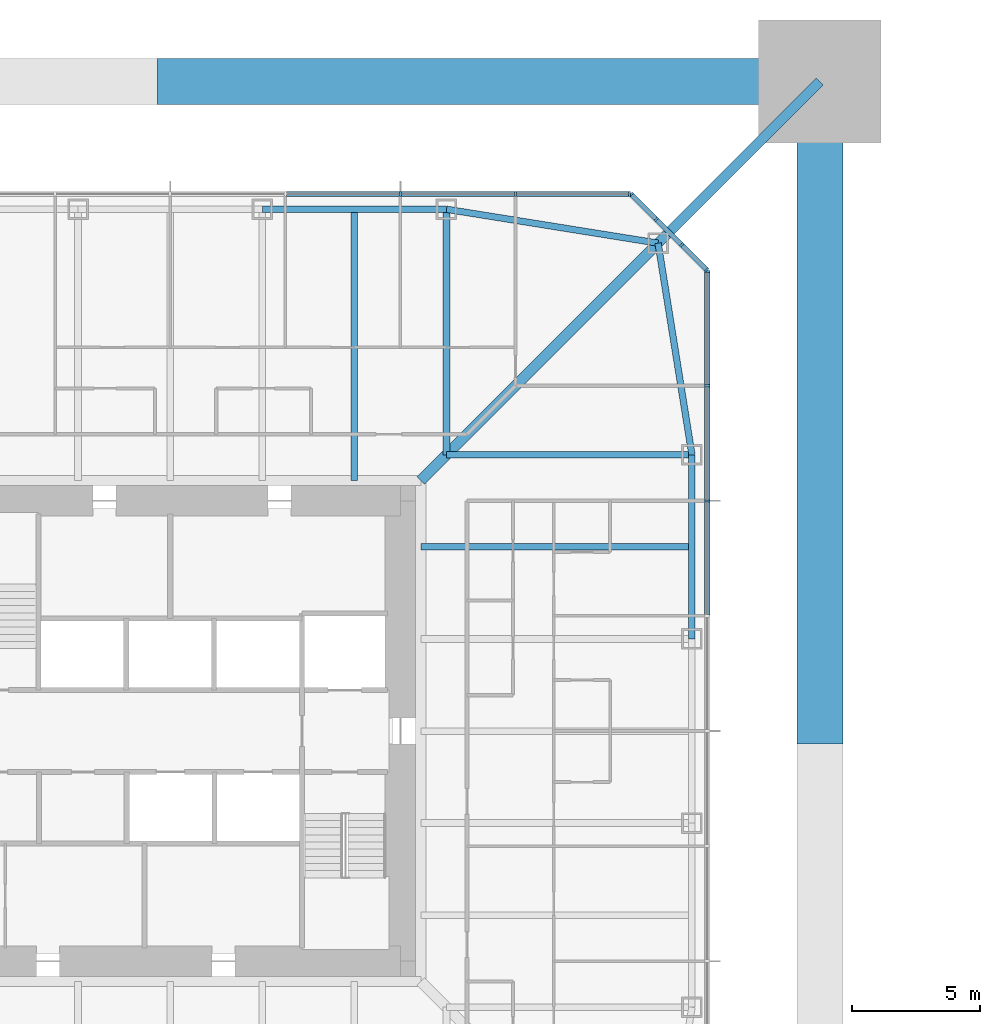
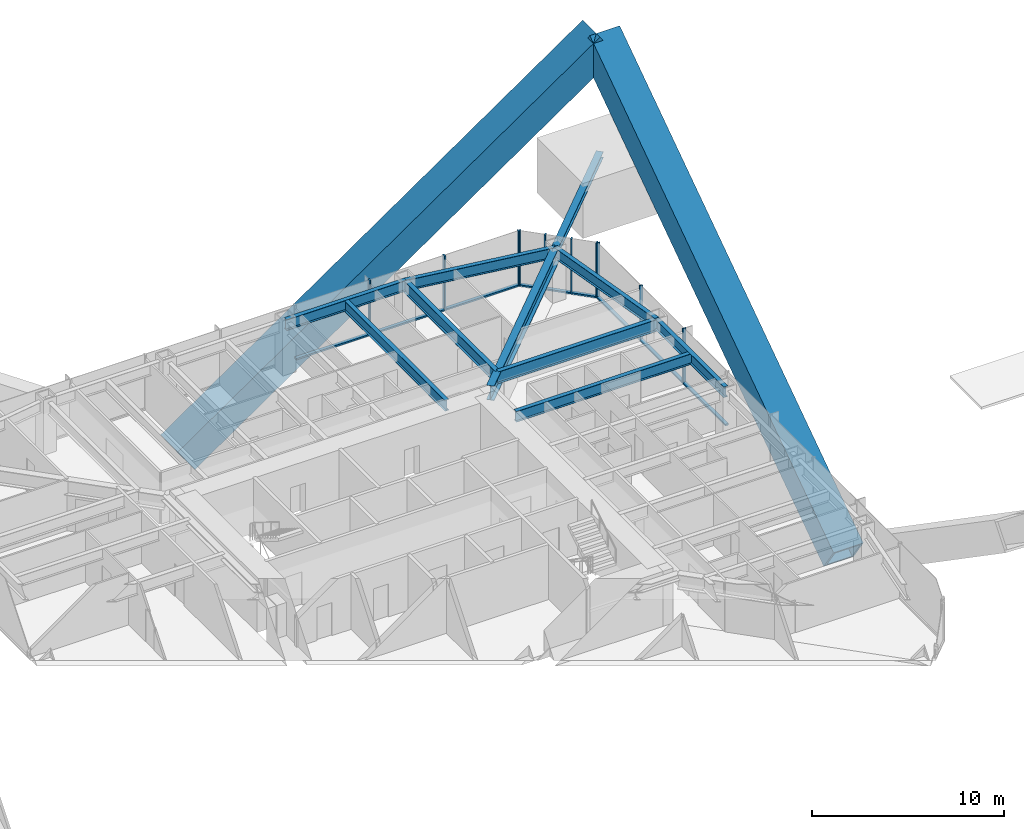
# One storey, part 7 of 17: 22 members, 9 beams, 3 elements without a shape of their own.
"""IFC4 building model written with IfcOpenShell, lengths in metres."""

from ifc_helpers import new_model, si_unit, direction, frame, origin, origin_2d, place, context, subcontext, project, spatial, rectangle, hollow_rectangle, i_section, extrude, material, material_profile, profile_set, type_object, element, aggregate, save


model = new_model("IFC4")

# Units and contexts
model_context = context("Model", 3, precision=1e-05, world=origin(), true_north=direction((0.0, 1.0)))
body_context = subcontext(model_context, "Body", "Model", "MODEL_VIEW")
ifc_project = project(units=[si_unit("LENGTHUNIT", "METRE"), si_unit("AREAUNIT", "SQUARE_METRE"), si_unit("VOLUMEUNIT", "CUBIC_METRE"), si_unit("PLANEANGLEUNIT", "RADIAN"), si_unit("MASSUNIT", "GRAM", prefix="KILO")], contexts=[model_context])

# Site, building, storey
site_placement = place(None, origin())
site = spatial("IfcSite", under=ifc_project, at=site_placement, CompositionType="ELEMENT")
building_placement = place(site_placement, origin())
building = spatial("IfcBuilding", under=site, at=building_placement, Name="Iwan Alto Co-Living Towers", CompositionType="ELEMENT")
storey_placement = place(building_placement, frame((0.0, 0.0, 133.0)))
storey = spatial("IfcBuildingStorey", under=building, at=storey_placement, Name="L36", CompositionType="ELEMENT", Elevation=133.0)

# Curtain wall, members
ifc_material_1 = material(Name="Bronze aluminium unitised frame", Category="aluminium")
curtain_wall_type_1 = type_object("IfcCurtainWallType", Name="CURTAIN WALL CW-A", PredefinedType="NOTDEFINED", material=ifc_material_1)
curtain_wall_1_placement = place(storey_placement, origin())
curtain_wall_1 = element("IfcCurtainWall", 1, at=curtain_wall_1_placement, inside=storey, type_object=curtain_wall_type_1, Name="T1 curtain wall E L36", PredefinedType="NOTDEFINED")
ifc_material_2 = material(Name="Aluminium 6063-T6 bronze anodised", Category="aluminium")
ifc_material_profile_1 = material_profile(ifc_material_2, rectangle(XDim=0.199951171875, YDim=0.080078125, at=origin_2d()), Name="AL 80X200")
ifc_profile_set_1 = profile_set([ifc_material_profile_1], Name="Aluminium 6063-T6 bronze anodised")
member_type_1 = type_object("IfcMemberType", Name="CW-A MULLION 80X200", PredefinedType="MULLION", material=ifc_profile_set_1)
member_1_placement = place(storey_placement, frame((21.0, 9.0, 0.0), z_axis=(0.0, 0.0, 1.0), x_axis=(-1.0, 0.0, 0.0)))
member_1 = element("IfcMember", 2, at=member_1_placement, type_object=member_type_1, Name="CW-A mullion 7", PredefinedType="MULLION", context=body_context, shape_type="SweptSolid", body=[
    extrude(rectangle(XDim=0.199951171875, YDim=0.080078125, at=origin_2d()), origin(), (0.0, 0.0, 1.0), 3.5),
])
member_2_placement = place(storey_placement, frame((21.0, 13.5, 0.0), z_axis=(0.0, 0.0, 1.0), x_axis=(-1.0, 0.0, 0.0)))
member_2 = element("IfcMember", 3, at=member_2_placement, type_object=member_type_1, Name="CW-A mullion 8", PredefinedType="MULLION", context=body_context, shape_type="SweptSolid", body=[
    extrude(rectangle(XDim=0.199951171875, YDim=0.080078125, at=origin_2d()), origin(), (0.0, 0.0, 1.0), 3.5),
])
member_3_placement = place(storey_placement, frame((21.0, 17.9599609375, 0.0), z_axis=(0.0, 0.0, 1.0), x_axis=(-1.0, 0.0, 0.0)))
member_3 = element("IfcMember", 4, at=member_3_placement, type_object=member_type_1, Name="CW-A mullion 9", PredefinedType="MULLION", context=body_context, shape_type="SweptSolid", body=[
    extrude(rectangle(XDim=0.199951171875, YDim=0.080078125, at=origin_2d()), origin(), (0.0, 0.0, 1.0), 3.5),
])

curtain_wall_2_placement = place(storey_placement, origin())
curtain_wall_2 = element("IfcCurtainWall", 5, at=curtain_wall_2_placement, inside=storey, type_object=curtain_wall_type_1, Name="T1 curtain wall N L36", PredefinedType="NOTDEFINED")
member_4_placement = place(storey_placement, frame((17.9599609375, 21.0, 0.0), z_axis=(0.0, 0.0, 1.0), x_axis=(0.0, -1.0, 0.0)))
member_4 = element("IfcMember", 6, at=member_4_placement, type_object=member_type_1, Name="CW-A mullion 1", PredefinedType="MULLION", context=body_context, shape_type="SweptSolid", body=[
    extrude(rectangle(XDim=0.199951171875, YDim=0.080078125, at=origin_2d()), origin(), (0.0, 0.0, 1.0), 3.5),
])
member_5_placement = place(storey_placement, frame((13.5, 21.0, 0.0), z_axis=(0.0, 0.0, 1.0), x_axis=(0.0, -1.0, 0.0)))
member_5 = element("IfcMember", 7, at=member_5_placement, type_object=member_type_1, Name="CW-A mullion 2", PredefinedType="MULLION", context=body_context, shape_type="SweptSolid", body=[
    extrude(rectangle(XDim=0.199951171875, YDim=0.080078125, at=origin_2d()), origin(), (0.0, 0.0, 1.0), 3.5),
])
member_6_placement = place(storey_placement, frame((9.0, 21.0, 0.0), z_axis=(0.0, 0.0, 1.0), x_axis=(0.0, -1.0, 0.0)))
member_6 = element("IfcMember", 8, at=member_6_placement, type_object=member_type_1, Name="CW-A mullion 3", PredefinedType="MULLION", context=body_context, shape_type="SweptSolid", body=[
    extrude(rectangle(XDim=0.199951171875, YDim=0.080078125, at=origin_2d()), origin(), (0.0, 0.0, 1.0), 3.5),
])

# Member
ifc_material_3 = material(Name="Aluminium 6063-T6 bronze anodised", Category="aluminium")
ifc_material_profile_2 = material_profile(ifc_material_3, rectangle(XDim=0.199951171875, YDim=0.10009765625, at=origin_2d()), Name="AL 200X100")
ifc_profile_set_2 = profile_set([ifc_material_profile_2], Name="Aluminium 6063-T6 bronze anodised")
member_type_2 = type_object("IfcMemberType", Name="CW-A TRANSOM 200X100", PredefinedType="USERDEFINED", material=ifc_profile_set_2)
member_7_placement = place(storey_placement, frame((21.0, 4.5400390625, 0.050048828125), z_axis=(0.0, 1.0, 0.0), x_axis=(-1.0, 0.0, 0.0)))
member_7 = element("IfcMember", 9, at=member_7_placement, type_object=member_type_2, Name="CW-A transom 6.1", ObjectType="TRANSOM", PredefinedType="USERDEFINED", context=body_context, shape_type="SweptSolid", body=[
    extrude(rectangle(XDim=0.199951171875, YDim=0.10009765625, at=origin_2d()), origin(), (0.0, 0.0, 1.0), 4.419921875),
])

member_8_placement = place(storey_placement, frame((21.0, 9.0400390625, 0.050048828125), z_axis=(0.0, 1.0, 0.0), x_axis=(-1.0, 0.0, 0.0)))
member_8 = element("IfcMember", 10, at=member_8_placement, type_object=member_type_2, Name="CW-A transom 7.1", ObjectType="TRANSOM", PredefinedType="USERDEFINED", context=body_context, shape_type="SweptSolid", body=[
    extrude(rectangle(XDim=0.199951171875, YDim=0.10009765625, at=origin_2d()), origin(), (0.0, 0.0, 1.0), 4.419921875),
])

member_9_placement = place(storey_placement, frame((21.0, 13.5400390625, 0.050048828125), z_axis=(0.0, 1.0, 0.0), x_axis=(-1.0, 0.0, 0.0)))
member_9 = element("IfcMember", 11, at=member_9_placement, type_object=member_type_2, Name="CW-A transom 8.1", ObjectType="TRANSOM", PredefinedType="USERDEFINED", context=body_context, shape_type="SweptSolid", body=[
    extrude(rectangle(XDim=0.199951171875, YDim=0.10009765625, at=origin_2d()), origin(), (0.0, 0.0, 1.0), 4.3798828125),
])

aggregate(curtain_wall_1, [member_1, member_2, member_3, member_7, member_8, member_9])

member_10_placement = place(storey_placement, frame((17.919921875, 21.0, 0.050048828125), z_axis=(-1.0, 0.0, 0.0), x_axis=(0.0, -1.0, 0.0)))
member_10 = element("IfcMember", 12, at=member_10_placement, type_object=member_type_2, Name="CW-A transom 1.1", ObjectType="TRANSOM", PredefinedType="USERDEFINED", context=body_context, shape_type="SweptSolid", body=[
    extrude(rectangle(XDim=0.199951171875, YDim=0.10009765625, at=origin_2d()), origin(), (0.0, 0.0, 1.0), 4.3798828125),
])

member_11_placement = place(storey_placement, frame((13.4599609375, 21.0, 0.050048828125), z_axis=(-1.0, 0.0, 0.0), x_axis=(0.0, -1.0, 0.0)))
member_11 = element("IfcMember", 13, at=member_11_placement, type_object=member_type_2, Name="CW-A transom 2.1", ObjectType="TRANSOM", PredefinedType="USERDEFINED", context=body_context, shape_type="SweptSolid", body=[
    extrude(rectangle(XDim=0.199951171875, YDim=0.10009765625, at=origin_2d()), origin(), (0.0, 0.0, 1.0), 4.419921875),
])

member_12_placement = place(storey_placement, frame((8.9599609375, 21.0, 0.050048828125), z_axis=(-1.0, 0.0, 0.0), x_axis=(0.0, -1.0, 0.0)))
member_12 = element("IfcMember", 14, at=member_12_placement, type_object=member_type_2, Name="CW-A transom 3.1", ObjectType="TRANSOM", PredefinedType="USERDEFINED", context=body_context, shape_type="SweptSolid", body=[
    extrude(rectangle(XDim=0.199951171875, YDim=0.10009765625, at=origin_2d()), origin(), (0.0, 0.0, 1.0), 4.419921875),
])

aggregate(curtain_wall_2, [member_4, member_5, member_6, member_10, member_11, member_12])

# Curtain wall, members
ifc_material_4 = material(Name="Bronze aluminium unitised frame", Category="aluminium")
curtain_wall_type_2 = type_object("IfcCurtainWallType", Name="CURTAIN WALL CW-B", PredefinedType="NOTDEFINED", material=ifc_material_4)
curtain_wall_3_placement = place(storey_placement, origin())
curtain_wall_3 = element("IfcCurtainWall", 15, at=curtain_wall_3_placement, inside=storey, type_object=curtain_wall_type_2, Name="T1 chamfer curtain wall NE L36", PredefinedType="NOTDEFINED")
ifc_material_5 = material(Name="Aluminium 6063-T6 bronze anodised", Category="aluminium")
ifc_material_profile_3 = material_profile(ifc_material_5, rectangle(XDim=0.199951171875, YDim=0.080078125, at=origin_2d()), Name="AL 80X200")
ifc_profile_set_3 = profile_set([ifc_material_profile_3], Name="Aluminium 6063-T6 bronze anodised")
member_type_3 = type_object("IfcMemberType", Name="CW-B MULLION 80X200", PredefinedType="MULLION", material=ifc_profile_set_3)
member_13_placement = place(storey_placement, frame((20.9716796875, 18.0283203125, 0.0), z_axis=(0.0, 0.0, 1.0), x_axis=(-0.707106781187, -0.707106781187, 0.0)))
member_13 = element("IfcMember", 16, at=member_13_placement, type_object=member_type_3, Name="CW-B mullion 1", PredefinedType="MULLION", context=body_context, shape_type="SweptSolid", body=[
    extrude(rectangle(XDim=0.199951171875, YDim=0.080078125, at=origin_2d()), origin(), (0.0, 0.0, 1.0), 3.5),
])
member_14_placement = place(storey_placement, frame((20.0, 19.0, 0.0), z_axis=(0.0, 0.0, 1.0), x_axis=(-0.707106781187, -0.707106781187, 0.0)))
member_14 = element("IfcMember", 17, at=member_14_placement, type_object=member_type_3, Name="CW-B mullion 2", PredefinedType="MULLION", context=body_context, shape_type="SweptSolid", body=[
    extrude(rectangle(XDim=0.199951171875, YDim=0.080078125, at=origin_2d()), origin(), (0.0, 0.0, 1.0), 3.5),
])
member_15_placement = place(storey_placement, frame((19.0, 20.0, 0.0), z_axis=(0.0, 0.0, 1.0), x_axis=(-0.707106781187, -0.707106781187, 0.0)))
member_15 = element("IfcMember", 18, at=member_15_placement, type_object=member_type_3, Name="CW-B mullion 3", PredefinedType="MULLION", context=body_context, shape_type="SweptSolid", body=[
    extrude(rectangle(XDim=0.199951171875, YDim=0.080078125, at=origin_2d()), origin(), (0.0, 0.0, 1.0), 3.5),
])
member_16_placement = place(storey_placement, frame((18.0283203125, 20.9716796875, 0.0), z_axis=(0.0, 0.0, 1.0), x_axis=(-0.707106781187, -0.707106781187, 0.0)))
member_16 = element("IfcMember", 19, at=member_16_placement, type_object=member_type_3, Name="CW-B mullion 4", PredefinedType="MULLION", context=body_context, shape_type="SweptSolid", body=[
    extrude(rectangle(XDim=0.199951171875, YDim=0.080078125, at=origin_2d()), origin(), (0.0, 0.0, 1.0), 3.5),
])
ifc_material_6 = material(Name="Aluminium 6063-T6 bronze anodised", Category="aluminium")
ifc_material_profile_4 = material_profile(ifc_material_6, rectangle(XDim=0.199951171875, YDim=0.10009765625, at=origin_2d()), Name="AL 200X100")
ifc_profile_set_4 = profile_set([ifc_material_profile_4], Name="Aluminium 6063-T6 bronze anodised")
member_type_4 = type_object("IfcMemberType", Name="CW-B TRANSOM 200X100", PredefinedType="USERDEFINED", material=ifc_profile_set_4)
member_17_placement = place(storey_placement, frame((20.943359375, 18.056640625, 0.050048828125), z_axis=(-0.707106781187, 0.707106781187, 0.0), x_axis=(-0.707106781187, -0.707106781187, 0.0)))
member_17 = element("IfcMember", 20, at=member_17_placement, type_object=member_type_4, Name="CW-B transom 1.1", ObjectType="TRANSOM", PredefinedType="USERDEFINED", context=body_context, shape_type="SweptSolid", body=[
    extrude(rectangle(XDim=0.199951171875, YDim=0.10009765625, at=origin_2d()), origin(), (0.0, 0.0, 1.0), 1.2939453125),
])
member_18_placement = place(storey_placement, frame((19.9716796875, 19.0283203125, 0.050048828125), z_axis=(-0.707106781187, 0.707106781187, 0.0), x_axis=(-0.707106781187, -0.707106781187, 0.0)))
member_18 = element("IfcMember", 21, at=member_18_placement, type_object=member_type_4, Name="CW-B transom 2.1", ObjectType="TRANSOM", PredefinedType="USERDEFINED", context=body_context, shape_type="SweptSolid", body=[
    extrude(rectangle(XDim=0.199951171875, YDim=0.10009765625, at=origin_2d()), origin(), (0.0, 0.0, 1.0), 1.334228515625),
])
member_19_placement = place(storey_placement, frame((18.9716796875, 20.0283203125, 0.050048828125), z_axis=(-0.707106781187, 0.707106781187, 0.0), x_axis=(-0.707106781187, -0.707106781187, 0.0)))
member_19 = element("IfcMember", 22, at=member_19_placement, type_object=member_type_4, Name="CW-B transom 3.1", ObjectType="TRANSOM", PredefinedType="USERDEFINED", context=body_context, shape_type="SweptSolid", body=[
    extrude(rectangle(XDim=0.199951171875, YDim=0.10009765625, at=origin_2d()), origin(), (0.0, 0.0, 1.0), 1.2939453125),
])
aggregate(curtain_wall_3, [member_13, member_14, member_15, member_16, member_17, member_18, member_19])

# Beams
ifc_material_7 = material(Name="Steel ASTM A992 Gr 50", Category="steel")
ifc_material_profile_5 = material_profile(ifc_material_7, i_section(OverallWidth=0.419189453125, OverallDepth=0.927001953125, WebThickness=0.019287109375, FlangeThickness=0.031982421875, at=origin_2d()), Name="W36X231")
ifc_profile_set_5 = profile_set([ifc_material_profile_5], Name="Steel ASTM A992 Gr 50")
beam_type_1 = type_object("IfcBeamType", Name="T1 CORNER GIRDER W36X231", PredefinedType="BEAM", material=ifc_profile_set_5)
beam_1_placement = place(storey_placement, frame((19.07568359375, 19.07568359375, 2.806396484375), z_axis=(-0.707106781187, -0.707106781187, 0.0), x_axis=(0.707106781187, -0.707106781187, 0.0)))
element("IfcBeam", 23, at=beam_1_placement, inside=storey, type_object=beam_type_1, Name="T1 corner girder CNE L37", PredefinedType="BEAM", context=body_context, shape_type="SweptSolid", body=[
    extrude(i_section(OverallWidth=0.419189453125, OverallDepth=0.927001953125, WebThickness=0.019287109375, FlangeThickness=0.031982421875, at=origin_2d()), origin(), (0.0, 0.0, 1.0), 13.11865234375),
])
ifc_material_8 = material(Name="Steel ASTM A992 Gr 50", Category="steel")
ifc_material_profile_6 = material_profile(ifc_material_8, i_section(OverallWidth=0.25390625, OverallDepth=0.683349609375, WebThickness=0.012451171875, FlangeThickness=0.018798828125, at=origin_2d()), Name="W27X94")
ifc_profile_set_6 = profile_set([ifc_material_profile_6], Name="Steel ASTM A992 Gr 50")
beam_type_2 = type_object("IfcBeamType", Name="T1 EDGE BEAM W27X94", PredefinedType="BEAM", material=ifc_profile_set_6)
beam_2_placement = place(storey_placement, frame((20.39990234375, 3.60009765625, 2.928466796875), z_axis=(0.0, 1.0, 0.0), x_axis=(-1.0, 0.0, 0.0)))
element("IfcBeam", 24, at=beam_2_placement, inside=storey, type_object=beam_type_2, Name="T1 edge beam E3 L37", PredefinedType="BEAM", context=body_context, shape_type="SweptSolid", body=[
    extrude(i_section(OverallWidth=0.25390625, OverallDepth=0.683349609375, WebThickness=0.012451171875, FlangeThickness=0.018798828125, at=origin_2d()), origin(), (0.0, 0.0, 1.0), 7.199951171875),
])
for number, where, z_axis, x_axis, name in (
    (25, (20.39990234375, 10.800048828125, 2.928466796875), (-0.158004134737, 0.987438450439, 0.0), (-0.987438450439, -0.158004134737, 0.0), "T1 edge beam E4 L37"),
    (26, (19.07568359375, 19.07568359375, 2.928466796875), (-0.987438450439, 0.158004134737, 0.0), (-0.158004134737, -0.987438450439, 0.0), "T1 edge beam CNE L37"),
):
    element("IfcBeam", number, at=place(storey_placement, frame(where, z_axis=z_axis, x_axis=x_axis)), inside=storey, type_object=beam_type_2, Name=name, PredefinedType="BEAM", context=body_context, shape_type="SweptSolid", body=[
        extrude(i_section(OverallWidth=0.25390625, OverallDepth=0.683349609375, WebThickness=0.012451171875, FlangeThickness=0.018798828125, at=origin_2d()), origin(), (0.0, 0.0, 1.0), 8.380859375),
    ])
beam_3_placement = place(storey_placement, frame((10.800048828125, 20.39990234375, 2.928466796875), z_axis=(-1.0, 0.0, 0.0), x_axis=(0.0, -1.0, 0.0)))
element("IfcBeam", 27, at=beam_3_placement, inside=storey, type_object=beam_type_2, Name="T1 edge beam N1 L37", PredefinedType="BEAM", context=body_context, shape_type="SweptSolid", body=[
    extrude(i_section(OverallWidth=0.25390625, OverallDepth=0.683349609375, WebThickness=0.012451171875, FlangeThickness=0.018798828125, at=origin_2d()), origin(), (0.0, 0.0, 1.0), 7.199951171875),
])

# Members
ifc_material_9 = material(Name="Steel ASTM A572 Gr 42", Category="steel")
ifc_material_profile_7 = material_profile(ifc_material_9, hollow_rectangle(XDim=1.800048828125, YDim=1.800048828125, WallThickness=0.1298828125, at=origin_2d()), Name="BOX 1800X1800X130")
ifc_profile_set_7 = profile_set([ifc_material_profile_7], Name="Steel ASTM A572 Gr 42")
member_type_5 = type_object("IfcMemberType", Name="T1 MEGA BRACE BOX 1800X1800X130", PredefinedType="BRACE", material=ifc_profile_set_7)
for number, where, z_axis, x_axis, name in (
    (28, (25.39990234375, 0.0, -7.0), (0.0, 0.82347292246, 0.56735557279), (-1.0, 0.0, 0.0), "T1 mega brace Z2B E 1 upper"),
    (29, (0.0, 25.39990234375, -7.0), (0.82347292246, 0.0, 0.56735557279), (0.0, 1.0, 0.0), "T1 mega brace Z2B N 2 upper"),
):
    element("IfcMember", number, at=place(storey_placement, frame(where, z_axis=z_axis, x_axis=x_axis)), inside=storey, type_object=member_type_5, Name=name, PredefinedType="BRACE", context=body_context, shape_type="SweptSolid", body=[
        extrude(hollow_rectangle(XDim=1.800048828125, YDim=1.800048828125, WallThickness=0.1298828125, at=origin_2d()), origin(), (0.0, 0.0, 1.0), 30.844970703125),
    ])
ifc_material_10 = material(Name="Steel ASTM A992 Gr 50", Category="steel")
ifc_material_profile_8 = material_profile(ifc_material_10, i_section(OverallWidth=0.393798828125, OverallDepth=0.3759765625, WebThickness=0.017333984375, FlangeThickness=0.027587890625, at=origin_2d()), Name="W14X145")
ifc_profile_set_8 = profile_set([ifc_material_profile_8], Name="Steel ASTM A992 Gr 50")
member_type_6 = type_object("IfcMemberType", Name="T1 MEGA COLUMN FLOOR TIE W14X145", PredefinedType="STRUT", material=ifc_profile_set_8)
member_20_placement = place(storey_placement, frame((25.39990234375, 25.39990234375, 3.08203125), z_axis=(-0.707106781187, -0.707106781187, 0.0), x_axis=(0.707106781187, -0.707106781187, 0.0)))
element("IfcMember", 30, at=member_20_placement, inside=storey, type_object=member_type_6, Name="T1 mega column floor tie NE L37", PredefinedType="STRUT", context=body_context, shape_type="SweptSolid", body=[
    extrude(i_section(OverallWidth=0.393798828125, OverallDepth=0.3759765625, WebThickness=0.017333984375, FlangeThickness=0.027587890625, at=origin_2d()), origin(), (0.0, 0.0, 1.0), 8.94384765625),
])

# Beams
ifc_material_11 = material(Name="Steel ASTM A992 Gr 50", Category="steel")
ifc_material_profile_9 = material_profile(ifc_material_11, i_section(OverallWidth=0.2666015625, OverallDepth=0.761962890625, WebThickness=0.014404296875, FlangeThickness=0.021484375, at=origin_2d()), Name="W30X116")
ifc_profile_set_9 = profile_set([ifc_material_profile_9], Name="Steel ASTM A992 Gr 50")
beam_type_3 = type_object("IfcBeamType", Name="T1 RADIAL BEAM W30X116", PredefinedType="BEAM", material=ifc_profile_set_9)
for number, where, z_axis, x_axis, name in (
    (31, (20.39990234375, 10.800048828125, 2.888916015625), (-1.0, 0.0, 0.0), (0.0, -1.0, 0.0), "T1 radial beam E4 L37"),
    (32, (10.800048828125, 20.39990234375, 2.888916015625), (0.0, -1.0, 0.0), (1.0, 0.0, 0.0), "T1 radial beam N1 L37"),
):
    element("IfcBeam", number, at=place(storey_placement, frame(where, z_axis=z_axis, x_axis=x_axis)), inside=storey, type_object=beam_type_3, Name=name, PredefinedType="BEAM", context=body_context, shape_type="SweptSolid", body=[
        extrude(i_section(OverallWidth=0.2666015625, OverallDepth=0.761962890625, WebThickness=0.014404296875, FlangeThickness=0.021484375, at=origin_2d()), origin(), (0.0, 0.0, 1.0), 9.599853515625),
    ])
ifc_material_12 = material(Name="Steel ASTM A992 Gr 50", Category="steel")
ifc_material_profile_10 = material_profile(ifc_material_12, i_section(OverallWidth=0.25390625, OverallDepth=0.683349609375, WebThickness=0.012451171875, FlangeThickness=0.018798828125, at=origin_2d()), Name="W27X94")
ifc_profile_set_10 = profile_set([ifc_material_profile_10], Name="Steel ASTM A992 Gr 50")
beam_type_4 = type_object("IfcBeamType", Name="T1 SECONDARY BEAM W27X94", PredefinedType="JOIST", material=ifc_profile_set_10)
for number, where, z_axis, x_axis, name in (
    (33, (20.39990234375, 7.199951171875, 2.928466796875), (-1.0, 0.0, 0.0), (0.0, -1.0, 0.0), "T1 secondary beam E3 L37"),
    (34, (7.199951171875, 20.39990234375, 2.928466796875), (0.0, -1.0, 0.0), (1.0, 0.0, 0.0), "T1 secondary beam N1 L37"),
):
    element("IfcBeam", number, at=place(storey_placement, frame(where, z_axis=z_axis, x_axis=x_axis)), inside=storey, type_object=beam_type_4, Name=name, PredefinedType="JOIST", context=body_context, shape_type="SweptSolid", body=[
        extrude(i_section(OverallWidth=0.25390625, OverallDepth=0.683349609375, WebThickness=0.012451171875, FlangeThickness=0.018798828125, at=origin_2d()), origin(), (0.0, 0.0, 1.0), 10.6005859375),
    ])

save(model, "model.ifc")
